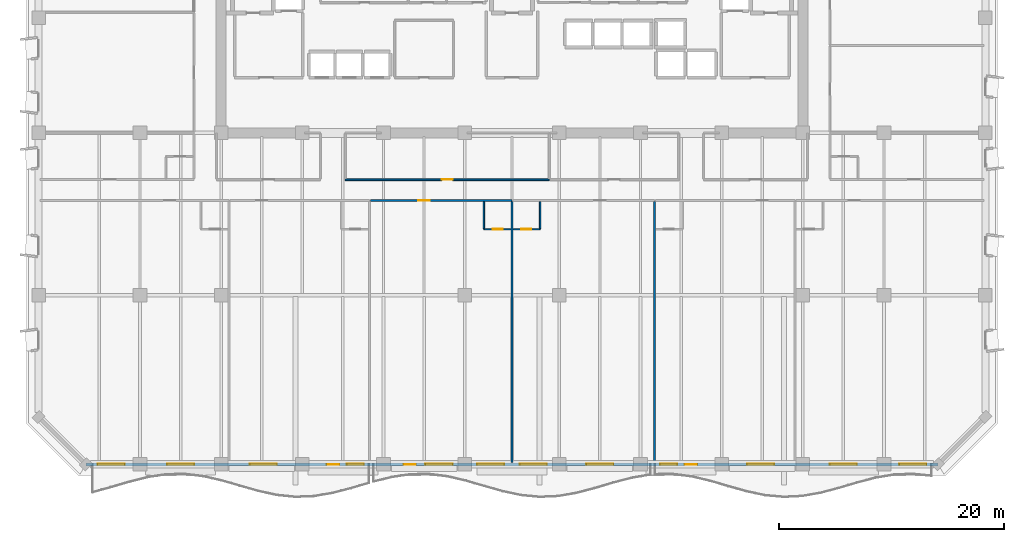
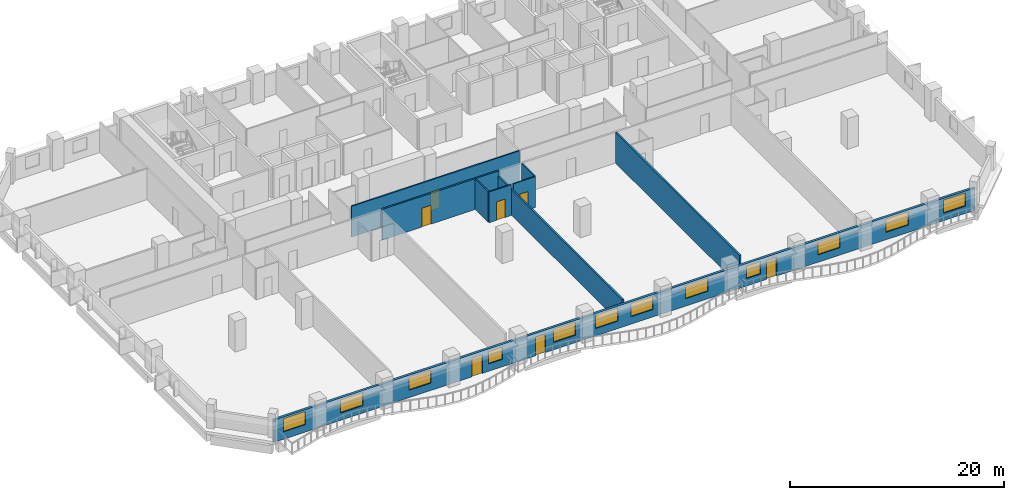
# One storey, part 5 of 15: 12 windows, 9 walls, 7 doors, 19 openings.
"""IFC4 building model written with IfcOpenShell, lengths in metres."""

from ifc_helpers import new_model, si_unit, direction, frame, frame_2d, origin, place, context, subcontext, project, spatial, rectangle, extrude, material, layer, layer_set, type_object, element, fill, save


model = new_model("IFC4")

# Units and contexts
model_context = context("Model", 3, precision=1e-05, world=origin(), true_north=direction((0.0, 1.0)))
body_context = subcontext(model_context, "Body", "Model", "MODEL_VIEW")
ifc_project = project(units=[si_unit("LENGTHUNIT", "METRE"), si_unit("AREAUNIT", "SQUARE_METRE"), si_unit("VOLUMEUNIT", "CUBIC_METRE"), si_unit("PLANEANGLEUNIT", "RADIAN"), si_unit("MASSUNIT", "GRAM", prefix="KILO")], contexts=[model_context])

# Site, building, storey
site_placement = place(None, origin())
site = spatial("IfcSite", under=ifc_project, at=site_placement, CompositionType="ELEMENT")
building_placement = place(site_placement, origin())
building = spatial("IfcBuilding", under=site, at=building_placement, Name="Kaelvorn Grand Hotel", CompositionType="ELEMENT")
storey_placement = place(building_placement, frame((0.0, 0.0, 111.800048828125)))
storey = spatial("IfcBuildingStorey", under=building, at=storey_placement, Name="L26", CompositionType="ELEMENT", Elevation=111.800048828125)

# Wall, openings, doors, windows
ifc_material_1 = material(Name="Concrete C40/50", Category="concrete")
ifc_layer_1 = layer(ifc_material_1, 0.260009765625)
ifc_layer_set_1 = layer_set([ifc_layer_1], Name="Concrete C40/50")
wall_type_1 = type_object("IfcWallType", Name="WL-EXT-260-C40", PredefinedType="SOLIDWALL", material=ifc_layer_set_1)
wall_1_placement = place(storey_placement, frame((4.199951171875, 0.0, 0.0), z_axis=(0.0, 0.0, 1.0), x_axis=(1.0, 0.0, 0.0)))
wall_1 = element("IfcWall", 1, at=wall_1_placement, inside=storey, type_object=wall_type_1, Name="L26 Exterior Architectural Concrete Wall 01", PredefinedType="SOLIDWALL", context=body_context, shape_type="SweptSolid", body=[
    extrude(rectangle(XDim=75.60009765625, YDim=0.260009765625, at=frame_2d((37.800048828125, 0.0))), origin(), (0.0, 0.0, 1.0), 2.56005859375),
])
opening_1_placement = place(wall_1_placement, frame((21.38330078125, 0.0, 0.0)))
opening_1 = element("IfcOpeningElement", 2, at=opening_1_placement, cuts=wall_1, Name="Opening DE2", PredefinedType="OPENING", context=body_context, shape_type="SweptSolid", body=[
    extrude(rectangle(XDim=1.10009765625, YDim=2.14990234375, at=frame_2d((0.550048828125, 1.074951171875))), frame((0.0, 0.14013671875, 0.0), z_axis=(0.0, -1.0, 0.0), x_axis=(1.0, 0.0, 0.0)), (0.0, 0.0, 1.0), 0.280029296875),
])
opening_2_placement = place(wall_1_placement, frame((28.183349609375, 0.0, 0.0)))
opening_2 = element("IfcOpeningElement", 3, at=opening_2_placement, cuts=wall_1, Name="Opening DE2", PredefinedType="OPENING", context=body_context, shape_type="SweptSolid", body=[
    extrude(rectangle(XDim=1.10009765625, YDim=2.14990234375, at=frame_2d((0.550048828125, 1.074951171875))), frame((0.0, 0.14013671875, 0.0), z_axis=(0.0, -1.0, 0.0), x_axis=(1.0, 0.0, 0.0)), (0.0, 0.0, 1.0), 0.280029296875),
])
opening_3_placement = place(wall_1_placement, frame((53.11669921875, 0.0, 0.0)))
opening_3 = element("IfcOpeningElement", 4, at=opening_3_placement, cuts=wall_1, Name="Opening DE2", PredefinedType="OPENING", context=body_context, shape_type="SweptSolid", body=[
    extrude(rectangle(XDim=1.10009765625, YDim=2.14990234375, at=frame_2d((0.550048828125, 1.074951171875))), frame((0.0, 0.14013671875, 0.0), z_axis=(0.0, -1.0, 0.0), x_axis=(1.0, 0.0, 0.0)), (0.0, 0.0, 1.0), 0.280029296875),
])
opening_4_placement = place(wall_1_placement, frame((1.034912109375, 0.0, 0.85009765625)))
opening_4 = element("IfcOpeningElement", 5, at=opening_4_placement, cuts=wall_1, Name="Opening W6", PredefinedType="OPENING", context=body_context, shape_type="SweptSolid", body=[
    extrude(rectangle(XDim=2.39990234375, YDim=1.5, at=frame_2d((1.199951171875, 0.75))), frame((0.0, 0.14013671875, 0.0), z_axis=(0.0, -1.0, 0.0), x_axis=(1.0, 0.0, 0.0)), (0.0, 0.0, 1.0), 0.280029296875),
])
opening_5_placement = place(wall_1_placement, frame((7.199951171875, 0.0, 0.85009765625)))
opening_5 = element("IfcOpeningElement", 6, at=opening_5_placement, cuts=wall_1, Name="Opening W6", PredefinedType="OPENING", context=body_context, shape_type="SweptSolid", body=[
    extrude(rectangle(XDim=2.39990234375, YDim=1.5, at=frame_2d((1.199951171875, 0.75))), frame((0.0, 0.14013671875, 0.0), z_axis=(0.0, -1.0, 0.0), x_axis=(1.0, 0.0, 0.0)), (0.0, 0.0, 1.0), 0.280029296875),
])
opening_6_placement = place(wall_1_placement, frame((14.550048828125, 0.0, 0.85009765625)))
opening_6 = element("IfcOpeningElement", 7, at=opening_6_placement, cuts=wall_1, Name="Opening W6", PredefinedType="OPENING", context=body_context, shape_type="SweptSolid", body=[
    extrude(rectangle(XDim=2.39990234375, YDim=1.5, at=frame_2d((1.199951171875, 0.75))), frame((0.0, 0.14013671875, 0.0), z_axis=(0.0, -1.0, 0.0), x_axis=(1.0, 0.0, 0.0)), (0.0, 0.0, 1.0), 0.280029296875),
])
opening_7_placement = place(wall_1_placement, frame((23.151123046875, 0.0, 0.85009765625)))
opening_7 = element("IfcOpeningElement", 8, at=opening_7_placement, cuts=wall_1, Name="Opening W10", PredefinedType="OPENING", context=body_context, shape_type="SweptSolid", body=[
    extrude(rectangle(XDim=1.5, YDim=1.39990234375, at=frame_2d((0.75, 0.699951171875))), frame((0.0, 0.14013671875, 0.0), z_axis=(0.0, -1.0, 0.0), x_axis=(1.0, 0.0, 0.0)), (0.0, 0.0, 1.0), 0.280029296875),
])
opening_8_placement = place(wall_1_placement, frame((30.126708984375, 0.0, 0.85009765625)))
opening_8 = element("IfcOpeningElement", 9, at=opening_8_placement, cuts=wall_1, Name="Opening W6", PredefinedType="OPENING", context=body_context, shape_type="SweptSolid", body=[
    extrude(rectangle(XDim=2.39990234375, YDim=1.5, at=frame_2d((1.199951171875, 0.75))), frame((0.0, 0.14013671875, 0.0), z_axis=(0.0, -1.0, 0.0), x_axis=(1.0, 0.0, 0.0)), (0.0, 0.0, 1.0), 0.280029296875),
])
opening_9_placement = place(wall_1_placement, frame((34.699951171875, 0.0, 0.85009765625)))
opening_9 = element("IfcOpeningElement", 10, at=opening_9_placement, cuts=wall_1, Name="Opening W6", PredefinedType="OPENING", context=body_context, shape_type="SweptSolid", body=[
    extrude(rectangle(XDim=2.39990234375, YDim=1.5, at=frame_2d((1.199951171875, 0.75))), frame((0.0, 0.14013671875, 0.0), z_axis=(0.0, -1.0, 0.0), x_axis=(1.0, 0.0, 0.0)), (0.0, 0.0, 1.0), 0.280029296875),
])
opening_10_placement = place(wall_1_placement, frame((38.5, 0.0, 0.85009765625)))
opening_10 = element("IfcOpeningElement", 11, at=opening_10_placement, cuts=wall_1, Name="Opening W6", PredefinedType="OPENING", context=body_context, shape_type="SweptSolid", body=[
    extrude(rectangle(XDim=2.39990234375, YDim=1.5, at=frame_2d((1.199951171875, 0.75))), frame((0.0, 0.14013671875, 0.0), z_axis=(0.0, -1.0, 0.0), x_axis=(1.0, 0.0, 0.0)), (0.0, 0.0, 1.0), 0.280029296875),
])
opening_11_placement = place(wall_1_placement, frame((44.39990234375, 0.0, 0.85009765625)))
opening_11 = element("IfcOpeningElement", 12, at=opening_11_placement, cuts=wall_1, Name="Opening W6", PredefinedType="OPENING", context=body_context, shape_type="SweptSolid", body=[
    extrude(rectangle(XDim=2.39990234375, YDim=1.5, at=frame_2d((1.199951171875, 0.75))), frame((0.0, 0.14013671875, 0.0), z_axis=(0.0, -1.0, 0.0), x_axis=(1.0, 0.0, 0.0)), (0.0, 0.0, 1.0), 0.280029296875),
])
opening_12_placement = place(wall_1_placement, frame((50.948974609375, 0.0, 0.85009765625)))
opening_12 = element("IfcOpeningElement", 13, at=opening_12_placement, cuts=wall_1, Name="Opening W10", PredefinedType="OPENING", context=body_context, shape_type="SweptSolid", body=[
    extrude(rectangle(XDim=1.5, YDim=1.39990234375, at=frame_2d((0.75, 0.699951171875))), frame((0.0, 0.14013671875, 0.0), z_axis=(0.0, -1.0, 0.0), x_axis=(1.0, 0.0, 0.0)), (0.0, 0.0, 1.0), 0.280029296875),
])
opening_13_placement = place(wall_1_placement, frame((58.64990234375, 0.0, 0.85009765625)))
opening_13 = element("IfcOpeningElement", 14, at=opening_13_placement, cuts=wall_1, Name="Opening W6", PredefinedType="OPENING", context=body_context, shape_type="SweptSolid", body=[
    extrude(rectangle(XDim=2.39990234375, YDim=1.5, at=frame_2d((1.199951171875, 0.75))), frame((0.0, 0.14013671875, 0.0), z_axis=(0.0, -1.0, 0.0), x_axis=(1.0, 0.0, 0.0)), (0.0, 0.0, 1.0), 0.280029296875),
])
opening_14_placement = place(wall_1_placement, frame((66.0, 0.0, 0.85009765625)))
opening_14 = element("IfcOpeningElement", 15, at=opening_14_placement, cuts=wall_1, Name="Opening W6", PredefinedType="OPENING", context=body_context, shape_type="SweptSolid", body=[
    extrude(rectangle(XDim=2.39990234375, YDim=1.5, at=frame_2d((1.199951171875, 0.75))), frame((0.0, 0.14013671875, 0.0), z_axis=(0.0, -1.0, 0.0), x_axis=(1.0, 0.0, 0.0)), (0.0, 0.0, 1.0), 0.280029296875),
])
opening_15_placement = place(wall_1_placement, frame((72.1650390625, 0.0, 0.85009765625)))
opening_15 = element("IfcOpeningElement", 16, at=opening_15_placement, cuts=wall_1, Name="Opening W6", PredefinedType="OPENING", context=body_context, shape_type="SweptSolid", body=[
    extrude(rectangle(XDim=2.39990234375, YDim=1.5, at=frame_2d((1.199951171875, 0.75))), frame((0.0, 0.14013671875, 0.0), z_axis=(0.0, -1.0, 0.0), x_axis=(1.0, 0.0, 0.0)), (0.0, 0.0, 1.0), 0.280029296875),
])
ifc_material_2 = material(Name="Anodised Aluminium", Category="aluminium")
door_type_1 = type_object("IfcDoorType", Name="DR-EXT-BALC-1100x2150", OperationType="NOTDEFINED", PredefinedType="DOOR", material=ifc_material_2)
door_1_placement = place(opening_1_placement, origin())
door_1 = element("IfcDoor", 17, at=door_1_placement, inside=storey, type_object=door_type_1, Name="L26 Scalloped Balcony Glazed Door DE2-1", OperationType="SINGLE_SWING_RIGHT", OverallHeight=2.14990234375, OverallWidth=1.10009765625, PredefinedType="DOOR", context=body_context, shape_type="SweptSolid", body=[
    extrude(rectangle(XDim=1.10009765625, YDim=2.14990234375, at=frame_2d((0.550048828125, 1.074951171875))), frame((0.0, 0.02490234375, 0.0), z_axis=(0.0, -1.0, 0.0), x_axis=(1.0, 0.0, 0.0)), (0.0, 0.0, 1.0), 0.050048828125),
])
fill(opening_1, door_1)
door_2_placement = place(opening_2_placement, origin())
door_2 = element("IfcDoor", 18, at=door_2_placement, inside=storey, type_object=door_type_1, Name="L26 Scalloped Balcony Glazed Door DE2-2", OperationType="SINGLE_SWING_LEFT", OverallHeight=2.14990234375, OverallWidth=1.10009765625, PredefinedType="DOOR", context=body_context, shape_type="SweptSolid", body=[
    extrude(rectangle(XDim=1.10009765625, YDim=2.14990234375, at=frame_2d((0.550048828125, 1.074951171875))), frame((0.0, 0.02490234375, 0.0), z_axis=(0.0, -1.0, 0.0), x_axis=(1.0, 0.0, 0.0)), (0.0, 0.0, 1.0), 0.050048828125),
])
fill(opening_2, door_2)
door_3_placement = place(opening_3_placement, origin())
door_3 = element("IfcDoor", 19, at=door_3_placement, inside=storey, type_object=door_type_1, Name="L26 Scalloped Balcony Glazed Door DE2-3", OperationType="SINGLE_SWING_RIGHT", OverallHeight=2.14990234375, OverallWidth=1.10009765625, PredefinedType="DOOR", context=body_context, shape_type="SweptSolid", body=[
    extrude(rectangle(XDim=1.10009765625, YDim=2.14990234375, at=frame_2d((0.550048828125, 1.074951171875))), frame((0.0, 0.02490234375, 0.0), z_axis=(0.0, -1.0, 0.0), x_axis=(1.0, 0.0, 0.0)), (0.0, 0.0, 1.0), 0.050048828125),
])
fill(opening_3, door_3)
ifc_material_3 = material(Name="Laminated Low-E Glass", Category="glass")
window_type_1 = type_object("IfcWindowType", Name="WIN-COR-1500x1400", PartitioningType="SINGLE_PANEL", PredefinedType="WINDOW", material=ifc_material_3)
window_1_placement = place(opening_7_placement, origin())
window_1 = element("IfcWindow", 20, at=window_1_placement, inside=storey, type_object=window_type_1, Name="L26 South Guestroom Ribbon Window SR04", OverallHeight=1.39990234375, OverallWidth=1.5, PartitioningType="SINGLE_PANEL", PredefinedType="WINDOW", context=body_context, shape_type="SweptSolid", body=[
    extrude(rectangle(XDim=1.5, YDim=1.39990234375, at=frame_2d((0.75, 0.699951171875))), frame((0.0, 0.030029296875, 0.0), z_axis=(0.0, -1.0, 0.0), x_axis=(1.0, 0.0, 0.0)), (0.0, 0.0, 1.0), 0.06005859375),
])
fill(opening_7, window_1)
window_2_placement = place(opening_12_placement, origin())
window_2 = element("IfcWindow", 21, at=window_2_placement, inside=storey, type_object=window_type_1, Name="L26 South Guestroom Ribbon Window SR09", OverallHeight=1.39990234375, OverallWidth=1.5, PartitioningType="SINGLE_PANEL", PredefinedType="WINDOW", context=body_context, shape_type="SweptSolid", body=[
    extrude(rectangle(XDim=1.5, YDim=1.39990234375, at=frame_2d((0.75, 0.699951171875))), frame((0.0, 0.030029296875, 0.0), z_axis=(0.0, -1.0, 0.0), x_axis=(1.0, 0.0, 0.0)), (0.0, 0.0, 1.0), 0.06005859375),
])
fill(opening_12, window_2)
window_type_2 = type_object("IfcWindowType", Name="WIN-NTH-2400x1500", PartitioningType="SINGLE_PANEL", PredefinedType="WINDOW", material=ifc_material_3)
window_3_placement = place(opening_4_placement, origin())
window_3 = element("IfcWindow", 22, at=window_3_placement, inside=storey, type_object=window_type_2, Name="L26 South Guestroom Ribbon Window SR01", OverallHeight=1.5, OverallWidth=2.39990234375, PartitioningType="SINGLE_PANEL", PredefinedType="WINDOW", context=body_context, shape_type="SweptSolid", body=[
    extrude(rectangle(XDim=2.39990234375, YDim=1.5, at=frame_2d((1.199951171875, 0.75))), frame((0.0, 0.030029296875, 0.0), z_axis=(0.0, -1.0, 0.0), x_axis=(1.0, 0.0, 0.0)), (0.0, 0.0, 1.0), 0.06005859375),
])
fill(opening_4, window_3)
window_4_placement = place(opening_5_placement, origin())
window_4 = element("IfcWindow", 23, at=window_4_placement, inside=storey, type_object=window_type_2, Name="L26 South Guestroom Ribbon Window SR02", OverallHeight=1.5, OverallWidth=2.39990234375, PartitioningType="SINGLE_PANEL", PredefinedType="WINDOW", context=body_context, shape_type="SweptSolid", body=[
    extrude(rectangle(XDim=2.39990234375, YDim=1.5, at=frame_2d((1.199951171875, 0.75))), frame((0.0, 0.030029296875, 0.0), z_axis=(0.0, -1.0, 0.0), x_axis=(1.0, 0.0, 0.0)), (0.0, 0.0, 1.0), 0.06005859375),
])
fill(opening_5, window_4)
window_5_placement = place(opening_6_placement, origin())
window_5 = element("IfcWindow", 24, at=window_5_placement, inside=storey, type_object=window_type_2, Name="L26 South Guestroom Ribbon Window SR03", OverallHeight=1.5, OverallWidth=2.39990234375, PartitioningType="SINGLE_PANEL", PredefinedType="WINDOW", context=body_context, shape_type="SweptSolid", body=[
    extrude(rectangle(XDim=2.39990234375, YDim=1.5, at=frame_2d((1.199951171875, 0.75))), frame((0.0, 0.030029296875, 0.0), z_axis=(0.0, -1.0, 0.0), x_axis=(1.0, 0.0, 0.0)), (0.0, 0.0, 1.0), 0.06005859375),
])
fill(opening_6, window_5)
window_6_placement = place(opening_8_placement, origin())
window_6 = element("IfcWindow", 25, at=window_6_placement, inside=storey, type_object=window_type_2, Name="L26 South Guestroom Ribbon Window SR05", OverallHeight=1.5, OverallWidth=2.39990234375, PartitioningType="SINGLE_PANEL", PredefinedType="WINDOW", context=body_context, shape_type="SweptSolid", body=[
    extrude(rectangle(XDim=2.39990234375, YDim=1.5, at=frame_2d((1.199951171875, 0.75))), frame((0.0, 0.030029296875, 0.0), z_axis=(0.0, -1.0, 0.0), x_axis=(1.0, 0.0, 0.0)), (0.0, 0.0, 1.0), 0.06005859375),
])
fill(opening_8, window_6)
window_7_placement = place(opening_9_placement, origin())
window_7 = element("IfcWindow", 26, at=window_7_placement, inside=storey, type_object=window_type_2, Name="L26 South Guestroom Ribbon Window SR06", OverallHeight=1.5, OverallWidth=2.39990234375, PartitioningType="SINGLE_PANEL", PredefinedType="WINDOW", context=body_context, shape_type="SweptSolid", body=[
    extrude(rectangle(XDim=2.39990234375, YDim=1.5, at=frame_2d((1.199951171875, 0.75))), frame((0.0, 0.030029296875, 0.0), z_axis=(0.0, -1.0, 0.0), x_axis=(1.0, 0.0, 0.0)), (0.0, 0.0, 1.0), 0.06005859375),
])
fill(opening_9, window_7)
window_8_placement = place(opening_10_placement, origin())
window_8 = element("IfcWindow", 27, at=window_8_placement, inside=storey, type_object=window_type_2, Name="L26 South Guestroom Ribbon Window SR07", OverallHeight=1.5, OverallWidth=2.39990234375, PartitioningType="SINGLE_PANEL", PredefinedType="WINDOW", context=body_context, shape_type="SweptSolid", body=[
    extrude(rectangle(XDim=2.39990234375, YDim=1.5, at=frame_2d((1.199951171875, 0.75))), frame((0.0, 0.030029296875, 0.0), z_axis=(0.0, -1.0, 0.0), x_axis=(1.0, 0.0, 0.0)), (0.0, 0.0, 1.0), 0.06005859375),
])
fill(opening_10, window_8)
window_9_placement = place(opening_11_placement, origin())
window_9 = element("IfcWindow", 28, at=window_9_placement, inside=storey, type_object=window_type_2, Name="L26 South Guestroom Ribbon Window SR08", OverallHeight=1.5, OverallWidth=2.39990234375, PartitioningType="SINGLE_PANEL", PredefinedType="WINDOW", context=body_context, shape_type="SweptSolid", body=[
    extrude(rectangle(XDim=2.39990234375, YDim=1.5, at=frame_2d((1.199951171875, 0.75))), frame((0.0, 0.030029296875, 0.0), z_axis=(0.0, -1.0, 0.0), x_axis=(1.0, 0.0, 0.0)), (0.0, 0.0, 1.0), 0.06005859375),
])
fill(opening_11, window_9)
window_10_placement = place(opening_13_placement, origin())
window_10 = element("IfcWindow", 29, at=window_10_placement, inside=storey, type_object=window_type_2, Name="L26 South Guestroom Ribbon Window SR10", OverallHeight=1.5, OverallWidth=2.39990234375, PartitioningType="SINGLE_PANEL", PredefinedType="WINDOW", context=body_context, shape_type="SweptSolid", body=[
    extrude(rectangle(XDim=2.39990234375, YDim=1.5, at=frame_2d((1.199951171875, 0.75))), frame((0.0, 0.030029296875, 0.0), z_axis=(0.0, -1.0, 0.0), x_axis=(1.0, 0.0, 0.0)), (0.0, 0.0, 1.0), 0.06005859375),
])
fill(opening_13, window_10)
window_11_placement = place(opening_14_placement, origin())
window_11 = element("IfcWindow", 30, at=window_11_placement, inside=storey, type_object=window_type_2, Name="L26 South Guestroom Ribbon Window SR11", OverallHeight=1.5, OverallWidth=2.39990234375, PartitioningType="SINGLE_PANEL", PredefinedType="WINDOW", context=body_context, shape_type="SweptSolid", body=[
    extrude(rectangle(XDim=2.39990234375, YDim=1.5, at=frame_2d((1.199951171875, 0.75))), frame((0.0, 0.030029296875, 0.0), z_axis=(0.0, -1.0, 0.0), x_axis=(1.0, 0.0, 0.0)), (0.0, 0.0, 1.0), 0.06005859375),
])
fill(opening_14, window_11)
window_12_placement = place(opening_15_placement, origin())
window_12 = element("IfcWindow", 31, at=window_12_placement, inside=storey, type_object=window_type_2, Name="L26 South Guestroom Ribbon Window SR12", OverallHeight=1.5, OverallWidth=2.39990234375, PartitioningType="SINGLE_PANEL", PredefinedType="WINDOW", context=body_context, shape_type="SweptSolid", body=[
    extrude(rectangle(XDim=2.39990234375, YDim=1.5, at=frame_2d((1.199951171875, 0.75))), frame((0.0, 0.030029296875, 0.0), z_axis=(0.0, -1.0, 0.0), x_axis=(1.0, 0.0, 0.0)), (0.0, 0.0, 1.0), 0.06005859375),
])
fill(opening_15, window_12)

# Wall, opening, door
ifc_material_4 = material(Name="Moisture-Resistant Tile & Stud Board")
ifc_layer_2 = layer(ifc_material_4, 0.125)
ifc_layer_set_2 = layer_set([ifc_layer_2], Name="Moisture-Resistant Tile & Stud Board")
wall_type_2 = type_object("IfcWallType", Name="WL-PART-125-WET", PredefinedType="PARTITIONING", material=ifc_layer_set_2)
wall_2_placement = place(storey_placement, frame((39.5, 20.85009765625, 0.0), z_axis=(0.0, 0.0, 1.0), x_axis=(1.0, 0.0, 0.0)))
wall_2 = element("IfcWall", 32, at=wall_2_placement, inside=storey, type_object=wall_type_2, Name="L26 En-suite Bathroom L26-03 S Partition", PredefinedType="PARTITIONING", context=body_context, shape_type="SweptSolid", body=[
    extrude(rectangle(XDim=2.405029296875, YDim=0.125, at=frame_2d((1.20263671875, 0.0))), origin(), (0.0, 0.0, 1.0), 3.510009765625),
])
opening_16_placement = place(wall_2_placement, frame((0.800048828125, 0.0, 0.0)))
opening_16 = element("IfcOpeningElement", 33, at=opening_16_placement, cuts=wall_2, Name="Opening DI4", PredefinedType="OPENING", context=body_context, shape_type="SweptSolid", body=[
    extrude(rectangle(XDim=0.89990234375, YDim=2.10009765625, at=frame_2d((0.449951171875, 1.050048828125))), frame((0.0, 0.072509765625, 0.0), z_axis=(0.0, -1.0, 0.0), x_axis=(1.0, 0.0, 0.0)), (0.0, 0.0, 1.0), 0.14501953125),
])
ifc_material_5 = material(Name="Timber Veneer Leaf", Category="wood")
door_type_2 = type_object("IfcDoorType", Name="DR-INT-BATH-900x2100", OperationType="NOTDEFINED", PredefinedType="DOOR", material=ifc_material_5)
door_4_placement = place(opening_16_placement, origin())
door_4 = element("IfcDoor", 34, at=door_4_placement, inside=storey, type_object=door_type_2, Name="L26 En-suite Bathroom L26-03 Door", OperationType="SINGLE_SWING_LEFT", OverallHeight=2.10009765625, OverallWidth=0.89990234375, PredefinedType="DOOR", context=body_context, shape_type="SweptSolid", body=[
    extrude(rectangle(XDim=0.89990234375, YDim=2.10009765625, at=frame_2d((0.449951171875, 1.050048828125))), frame((0.0, 0.02490234375, 0.0), z_axis=(0.0, -1.0, 0.0), x_axis=(1.0, 0.0, 0.0)), (0.0, 0.0, 1.0), 0.050048828125),
])
fill(opening_16, door_4)

# Wall
wall_3_placement = place(storey_placement, frame((39.5, 20.91748046875, 0.0), z_axis=(0.0, 0.0, 1.0), x_axis=(0.0, 1.0, 0.0)))
element("IfcWall", 35, at=wall_3_placement, inside=storey, type_object=wall_type_2, Name="L26 En-suite Bathroom L26-03 W Partition", PredefinedType="PARTITIONING", context=body_context, shape_type="SweptSolid", body=[
    extrude(rectangle(XDim=2.387451171875, YDim=0.125, at=frame_2d((1.19384765625, 0.0))), origin(), (0.0, 0.0, 1.0), 3.510009765625),
])

# Wall, opening, door
wall_4_placement = place(storey_placement, frame((42.094970703125, 20.85009765625, 0.0), z_axis=(0.0, 0.0, 1.0), x_axis=(1.0, 0.0, 0.0)))
wall_4 = element("IfcWall", 36, at=wall_4_placement, inside=storey, type_object=wall_type_2, Name="L26 En-suite Bathroom L26-04 S Partition", PredefinedType="PARTITIONING", context=body_context, shape_type="SweptSolid", body=[
    extrude(rectangle(XDim=2.405029296875, YDim=0.125, at=frame_2d((1.20263671875, 0.0))), origin(), (0.0, 0.0, 1.0), 3.510009765625),
])
opening_17_placement = place(wall_4_placement, frame((0.705078125, 0.0, 0.0)))
opening_17 = element("IfcOpeningElement", 37, at=opening_17_placement, cuts=wall_4, Name="Opening DI4", PredefinedType="OPENING", context=body_context, shape_type="SweptSolid", body=[
    extrude(rectangle(XDim=0.89990234375, YDim=2.10009765625, at=frame_2d((0.449951171875, 1.050048828125))), frame((0.0, 0.072509765625, 0.0), z_axis=(0.0, -1.0, 0.0), x_axis=(1.0, 0.0, 0.0)), (0.0, 0.0, 1.0), 0.14501953125),
])
door_5_placement = place(opening_17_placement, origin())
door_5 = element("IfcDoor", 38, at=door_5_placement, inside=storey, type_object=door_type_2, Name="L26 En-suite Bathroom L26-04 Door", OperationType="SINGLE_SWING_LEFT", OverallHeight=2.10009765625, OverallWidth=0.89990234375, PredefinedType="DOOR", context=body_context, shape_type="SweptSolid", body=[
    extrude(rectangle(XDim=0.89990234375, YDim=2.10009765625, at=frame_2d((0.449951171875, 1.050048828125))), frame((0.0, 0.02490234375, 0.0), z_axis=(0.0, -1.0, 0.0), x_axis=(1.0, 0.0, 0.0)), (0.0, 0.0, 1.0), 0.050048828125),
])
fill(opening_17, door_5)

# Wall
wall_5_placement = place(storey_placement, frame((44.5, 20.91748046875, 0.0), z_axis=(0.0, 0.0, 1.0), x_axis=(0.0, 1.0, 0.0)))
element("IfcWall", 39, at=wall_5_placement, inside=storey, type_object=wall_type_2, Name="L26 En-suite Bathroom L26-04 E Partition", PredefinedType="PARTITIONING", context=body_context, shape_type="SweptSolid", body=[
    extrude(rectangle(XDim=2.387451171875, YDim=0.125, at=frame_2d((1.19384765625, 0.0))), origin(), (0.0, 0.0, 1.0), 3.510009765625),
])

# Wall, opening, door
ifc_material_6 = material(Name="Acoustic Gypsum & Stud Partition")
ifc_layer_3 = layer(ifc_material_6, 0.14990234375)
ifc_layer_set_3 = layer_set([ifc_layer_3], Name="Acoustic Gypsum & Stud Partition")
wall_type_3 = type_object("IfcWallType", Name="WL-PART-150-EI60", PredefinedType="PARTITIONING", material=ifc_layer_set_3)
wall_6_placement = place(storey_placement, frame((27.199951171875, 25.25, 0.0), z_axis=(0.0, 0.0, 1.0), x_axis=(1.0, 0.0, 0.0)))
wall_6 = element("IfcWall", 40, at=wall_6_placement, inside=storey, type_object=wall_type_3, Name="L26 Catering Servery Kitchen S Partition", PredefinedType="PARTITIONING", context=body_context, shape_type="SweptSolid", body=[
    extrude(rectangle(XDim=18.10009765625, YDim=0.14990234375, at=frame_2d((9.050048828125, 0.0))), origin(), (0.0, 0.0, 1.0), 3.510009765625),
])
opening_18_placement = place(wall_6_placement, frame((8.550048828125, 0.0, 0.0)))
opening_18 = element("IfcOpeningElement", 41, at=opening_18_placement, cuts=wall_6, Name="Opening DI3", PredefinedType="OPENING", context=body_context, shape_type="SweptSolid", body=[
    extrude(rectangle(XDim=1.0, YDim=2.14990234375, at=frame_2d((0.5, 1.074951171875))), frame((0.0, 0.0849609375, 0.0), z_axis=(0.0, -1.0, 0.0), x_axis=(1.0, 0.0, 0.0)), (0.0, 0.0, 1.0), 0.169921875),
])
ifc_material_7 = material(Name="Timber Veneer Fire Leaf", Category="wood")
door_type_3 = type_object("IfcDoorType", Name="DR-INT-GUEST-1000x2150", OperationType="NOTDEFINED", PredefinedType="DOOR", material=ifc_material_7)
door_6_placement = place(opening_18_placement, origin())
door_6 = element("IfcDoor", 42, at=door_6_placement, inside=storey, type_object=door_type_3, Name="L26 Catering Servery Kitchen Door", OperationType="SINGLE_SWING_LEFT", OverallHeight=2.14990234375, OverallWidth=1.0, PredefinedType="DOOR", context=body_context, shape_type="SweptSolid", body=[
    extrude(rectangle(XDim=1.0, YDim=2.14990234375, at=frame_2d((0.5, 1.074951171875))), frame((0.0, 0.02490234375, 0.0), z_axis=(0.0, -1.0, 0.0), x_axis=(1.0, 0.0, 0.0)), (0.0, 0.0, 1.0), 0.050048828125),
])
fill(opening_18, door_6)

ifc_layer_4 = layer(ifc_material_6, 0.179931640625)
ifc_layer_set_4 = layer_set([ifc_layer_4], Name="Acoustic Gypsum & Stud Partition")
wall_type_4 = type_object("IfcWallType", Name="WL-PART-180-EI60", PredefinedType="PARTITIONING", material=ifc_layer_set_4)
wall_7_placement = place(storey_placement, frame((29.444580078125, 23.39990234375, 0.0), z_axis=(0.0, 0.0, 1.0), x_axis=(1.0, 0.0, 0.0)))
wall_7 = element("IfcWall", 43, at=wall_7_placement, inside=storey, type_object=wall_type_4, Name="L26 Presidential Sky Suite L26-03 N Partition", PredefinedType="PARTITIONING", context=body_context, shape_type="SweptSolid", body=[
    extrude(rectangle(XDim=12.555419921875, YDim=0.179931640625, at=frame_2d((6.27783203125, 0.0))), origin(), (0.0, 0.0, 1.0), 3.510009765625),
])
opening_19_placement = place(wall_7_placement, frame((4.255615234375, 0.0, 0.0)))
opening_19 = element("IfcOpeningElement", 44, at=opening_19_placement, cuts=wall_7, Name="Opening DI3", PredefinedType="OPENING", context=body_context, shape_type="SweptSolid", body=[
    extrude(rectangle(XDim=1.0, YDim=2.14990234375, at=frame_2d((0.5, 1.074951171875))), frame((0.0, 0.10009765625, 0.0), z_axis=(0.0, -1.0, 0.0), x_axis=(1.0, 0.0, 0.0)), (0.0, 0.0, 1.0), 0.199951171875),
])
door_7_placement = place(opening_19_placement, origin())
door_7 = element("IfcDoor", 45, at=door_7_placement, inside=storey, type_object=door_type_3, Name="L26 Presidential Sky Suite L26-03 Door", OperationType="SINGLE_SWING_RIGHT", OverallHeight=2.14990234375, OverallWidth=1.0, PredefinedType="DOOR", context=body_context, shape_type="SweptSolid", body=[
    extrude(rectangle(XDim=1.0, YDim=2.14990234375, at=frame_2d((0.5, 1.074951171875))), frame((0.0, 0.02490234375, 0.0), z_axis=(0.0, -1.0, 0.0), x_axis=(1.0, 0.0, 0.0)), (0.0, 0.0, 1.0), 0.050048828125),
])
fill(opening_19, door_7)

# Walls
wall_8_placement = place(storey_placement, frame((42.0, 0.14990234375, 0.0), z_axis=(0.0, 0.0, 1.0), x_axis=(0.0, 1.0, 0.0)))
element("IfcWall", 46, at=wall_8_placement, inside=storey, type_object=wall_type_4, Name="L26 Presidential Sky Suite L26-03 E Partition", PredefinedType="PARTITIONING", context=body_context, shape_type="SweptSolid", body=[
    extrude(rectangle(XDim=23.155029296875, YDim=0.179931640625, at=frame_2d((11.57763671875, 0.0))), origin(), (0.0, 0.0, 1.0), 2.897705078125),
])
wall_9_placement = place(storey_placement, frame((54.650390625, 0.14990234375, 0.0), z_axis=(0.0, 0.0, 1.0), x_axis=(0.0, 1.0, 0.0)))
element("IfcWall", 47, at=wall_9_placement, inside=storey, type_object=wall_type_4, Name="L26 Presidential Sky Suite L26-04 E Partition", PredefinedType="PARTITIONING", context=body_context, shape_type="SweptSolid", body=[
    extrude(rectangle(XDim=23.155029296875, YDim=0.179931640625, at=frame_2d((11.57763671875, 0.0))), origin(), (0.0, 0.0, 1.0), 3.510009765625),
])

save(model, "model.ifc")
